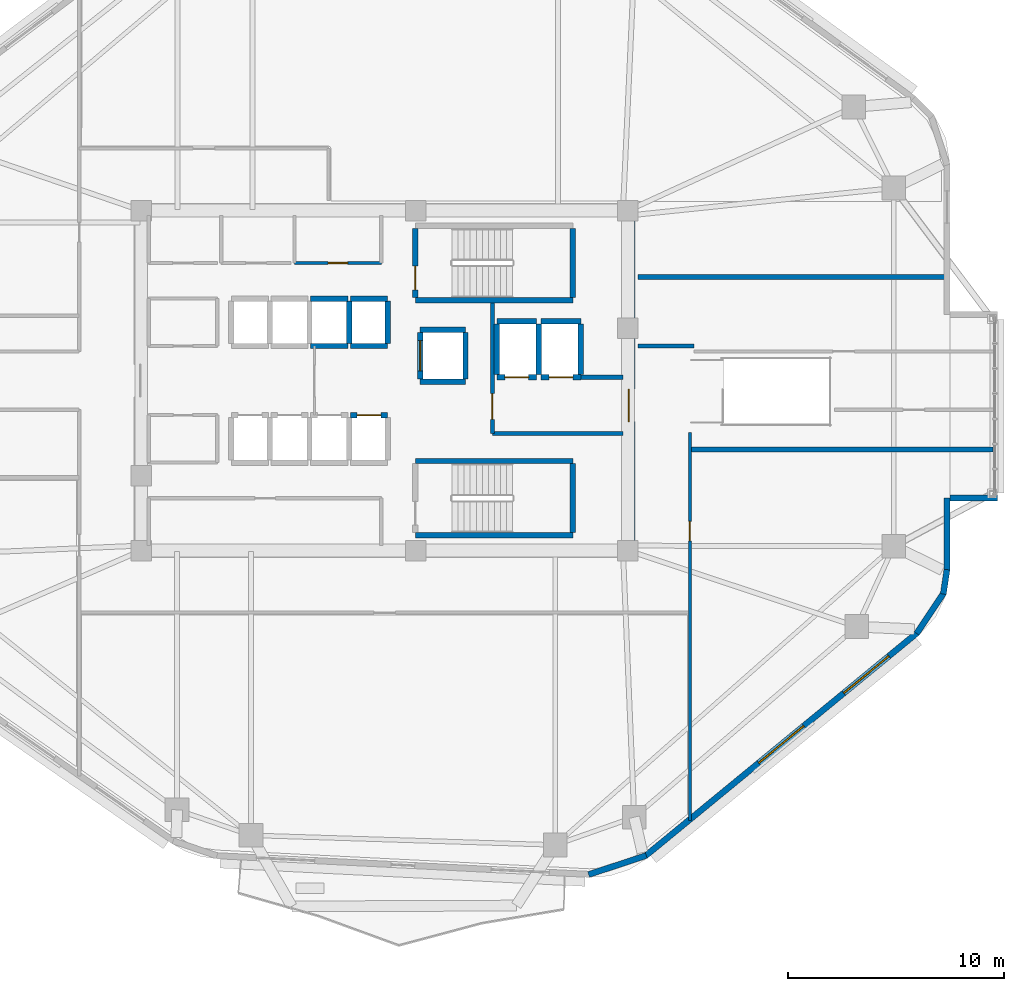
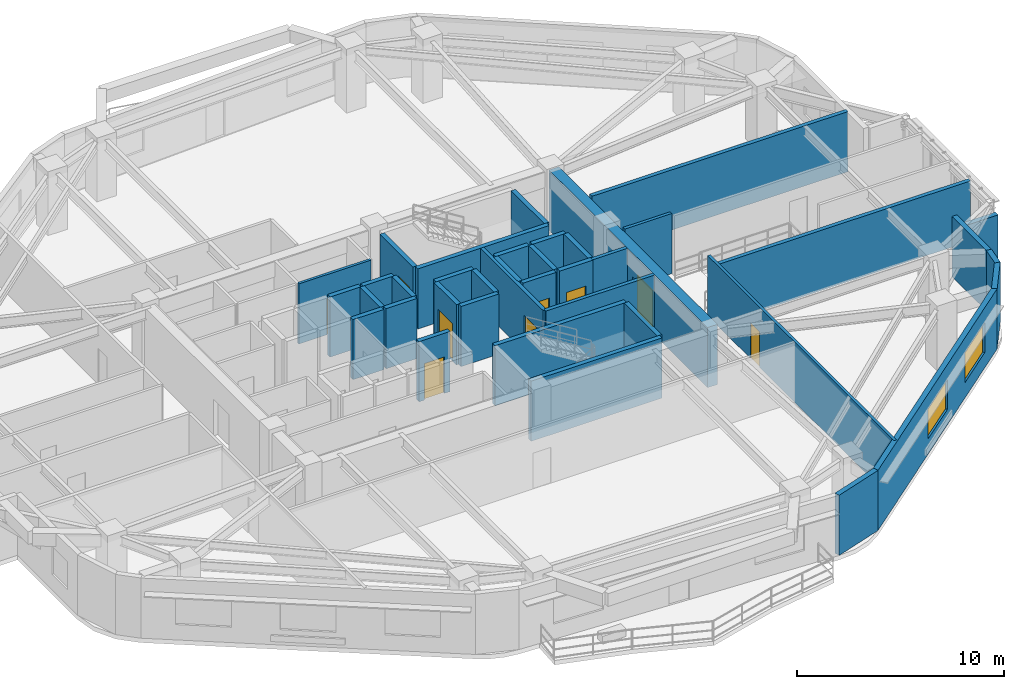
# One storey, part 9 of 14: 39 walls, 9 doors, 2 windows, 11 openings.
"""IFC4 building model written with IfcOpenShell, lengths in metres."""

from ifc_helpers import new_model, si_unit, direction, frame, frame_2d, origin, place, context, subcontext, project, spatial, rectangle, extrude, material, layer, layer_set, type_object, element, fill, save


model = new_model("IFC4")

# Units and contexts
model_context = context("Model", 3, precision=1e-05, world=origin(), true_north=direction((0.0, 1.0)))
body_context = subcontext(model_context, "Body", "Model", "MODEL_VIEW")
ifc_project = project(units=[si_unit("LENGTHUNIT", "METRE"), si_unit("AREAUNIT", "SQUARE_METRE"), si_unit("VOLUMEUNIT", "CUBIC_METRE"), si_unit("PLANEANGLEUNIT", "RADIAN"), si_unit("MASSUNIT", "GRAM", prefix="KILO")], contexts=[model_context])

# Site, building, storey
site_placement = place(None, origin())
site = spatial("IfcSite", under=ifc_project, at=site_placement, CompositionType="ELEMENT")
building_placement = place(site_placement, origin())
building = spatial("IfcBuilding", under=site, at=building_placement, Name="Zulverin Broadcast Headquarters", CompositionType="ELEMENT")
storey_placement = place(building_placement, frame((0.0, 0.0, 128.800048828125)))
storey = spatial("IfcBuildingStorey", under=building, at=storey_placement, Name="L32", CompositionType="ELEMENT", Elevation=128.800048828125)

# Walls
ifc_material_1 = material(Name="Double-stud acoustic drywall", Category="gypsum")
ifc_layer_1 = layer(ifc_material_1, 0.219970703125, Name="Double-stud acoustic drywall", Category="gypsum")
ifc_layer_set_1 = layer_set([ifc_layer_1], Name="Double-stud acoustic drywall")
wall_type_1 = type_object("IfcWallType", Name="WL-ACOU-220", PredefinedType="PARTITIONING", material=ifc_layer_set_1)
wall_1_placement = place(storey_placement, frame((51.14990234375, 22.0, 0.0), z_axis=(0.0, 0.0, 1.0), x_axis=(1.0, 0.0, 0.0)))
element("IfcWall", 1, at=wall_1_placement, inside=storey, type_object=wall_type_1, Name="L32 Room Partition Wall RP-07", PredefinedType="PARTITIONING", context=body_context, shape_type="SweptSolid", body=[
    extrude(rectangle(XDim=14.045166015625, YDim=0.219970703125, at=frame_2d((7.0224609375, 0.0))), origin(), (0.0, 0.0, 1.0), 3.5400390625),
])
wall_2_placement = place(storey_placement, frame((48.739990234375, 30.0, 0.0), z_axis=(0.0, 0.0, 1.0), x_axis=(1.0, 0.0, 0.0)))
element("IfcWall", 2, at=wall_2_placement, inside=storey, type_object=wall_type_1, Name="L32 Room Partition Wall RP-14", PredefinedType="PARTITIONING", context=body_context, shape_type="SweptSolid", body=[
    extrude(rectangle(XDim=14.255126953125, YDim=0.219970703125, at=frame_2d((7.12744140625, 0.0))), origin(), (0.0, 0.0, 1.0), 3.5400390625),
])

# Wall, opening, door
ifc_material_2 = material(Name="Concrete C60/75", Category="concrete")
ifc_layer_2 = layer(ifc_material_2, 0.550048828125, Name="Concrete C60/75", Category="concrete")
ifc_layer_set_2 = layer_set([ifc_layer_2], Name="Concrete C60/75")
wall_type_2 = type_object("IfcWallType", Name="WL-CORE-550", PredefinedType="SHEAR", material=ifc_layer_set_2)
wall_3_placement = place(storey_placement, frame((48.324951171875, 17.550048828125, 0.0), z_axis=(0.0, 0.0, 1.0), x_axis=(0.0, 1.0, 0.0)))
wall_3 = element("IfcWall", 3, at=wall_3_placement, inside=storey, type_object=wall_type_2, Name="L32 Core East Shear Wall", PredefinedType="SHEAR", context=body_context, shape_type="SweptSolid", body=[
    extrude(rectangle(XDim=15.300048828125, YDim=0.550048828125, at=frame_2d((7.64990234375, 0.0))), origin(), (0.0, 0.0, 1.0), 3.5400390625),
])
opening_1_placement = place(wall_3_placement, frame((5.75, 0.0, 0.0)))
opening_1 = element("IfcOpeningElement", 4, at=opening_1_placement, cuts=wall_3, Name="Opening D-L32-CE1", PredefinedType="OPENING", context=body_context, shape_type="SweptSolid", body=[
    extrude(rectangle(XDim=1.5, YDim=2.14990234375, at=frame_2d((0.75, 1.074951171875))), frame((0.0, 0.284912109375, 0.0), z_axis=(0.0, -1.0, 0.0), x_axis=(1.0, 0.0, 0.0)), (0.0, 0.0, 1.0), 0.570068359375),
])
ifc_material_3 = material(Name="Fire-rated glazed steel frame", Category="steel")
door_type_1 = type_object("IfcDoorType", Name="DR-COR-1500", OperationType="DOUBLE_DOOR_SINGLE_SWING", PredefinedType="DOOR", material=ifc_material_3)
door_1_placement = place(opening_1_placement, origin())
door_1 = element("IfcDoor", 5, at=door_1_placement, inside=storey, type_object=door_type_1, Name="L32 Firefighting Lobby East Corridor Door", OperationType="DOUBLE_DOOR_SINGLE_SWING", OverallHeight=2.14990234375, OverallWidth=1.5, PredefinedType="DOOR", context=body_context, shape_type="SweptSolid", body=[
    extrude(rectangle(XDim=1.5, YDim=2.14990234375, at=frame_2d((0.75, 1.074951171875))), frame((0.0, 0.02490234375, 0.0), z_axis=(0.0, -1.0, 0.0), x_axis=(1.0, 0.0, 0.0)), (0.0, 0.0, 1.0), 0.050048828125),
])
fill(opening_1, door_1)

# Wall, openings, windows
ifc_material_4 = material(Name="Insulated pale-metal clad concrete spandrel C40/50", Category="concrete")
ifc_layer_3 = layer(ifc_material_4, 0.280029296875, Name="Insulated pale-metal clad concrete spandrel C40/50", Category="concrete")
ifc_layer_set_3 = layer_set([ifc_layer_3], Name="Insulated pale-metal clad concrete spandrel C40/50")
wall_type_3 = type_object("IfcWallType", Name="WL-EXT-280", PredefinedType="STANDARD", material=ifc_layer_set_3)
wall_4_placement = place(storey_placement, frame((49.080078125, 3.164306640625, 0.0), z_axis=(0.0, 0.0, 1.0), x_axis=(0.772937830186, 0.634481765433, 0.0)))
wall_4 = element("IfcWall", 6, at=wall_4_placement, inside=storey, type_object=wall_type_3, Name="L32 Pale-Metal Clad Spandrel Wall 2", PredefinedType="STANDARD", context=body_context, shape_type="SweptSolid", body=[
    extrude(rectangle(XDim=16.308837890625, YDim=0.280029296875, at=frame_2d((8.154296875, 0.0))), origin(), (0.0, 0.0, 1.0), 3.5400390625),
])
opening_2_placement = place(wall_4_placement, frame((6.804443359375, 0.0, 0.89990234375)))
opening_2 = element("IfcOpeningElement", 7, at=opening_2_placement, cuts=wall_4, Name="Opening W-L32-E21", PredefinedType="OPENING", context=body_context, shape_type="SweptSolid", body=[
    extrude(rectangle(XDim=2.699951171875, YDim=1.75, at=frame_2d((1.35009765625, 0.875))), frame((0.0, 0.14990234375, 0.0), z_axis=(0.0, -1.0, 0.0), x_axis=(1.0, 0.0, 0.0)), (0.0, 0.0, 1.0), 0.300048828125),
])
opening_3_placement = place(wall_4_placement, frame((11.9072265625, 0.0, 0.89990234375)))
opening_3 = element("IfcOpeningElement", 8, at=opening_3_placement, cuts=wall_4, Name="Opening W-L32-E22", PredefinedType="OPENING", context=body_context, shape_type="SweptSolid", body=[
    extrude(rectangle(XDim=2.699951171875, YDim=1.75, at=frame_2d((1.35009765625, 0.875))), frame((0.0, 0.14990234375, 0.0), z_axis=(0.0, -1.0, 0.0), x_axis=(1.0, 0.0, 0.0)), (0.0, 0.0, 1.0), 0.300048828125),
])
ifc_material_5 = material(Name="Pale anodized aluminium frame with solar-control low-E double glazing", Category="aluminium")
window_type = type_object("IfcWindowType", Name="WIN-TWR-2700", PartitioningType="SINGLE_PANEL", PredefinedType="WINDOW", material=ifc_material_5)
window_1_placement = place(opening_2_placement, origin())
window_1 = element("IfcWindow", 9, at=window_1_placement, inside=storey, type_object=window_type, Name="L32 Ribbon Glazing Window 2 1", OverallHeight=1.75, OverallWidth=2.699951171875, PartitioningType="SINGLE_PANEL", PredefinedType="WINDOW", context=body_context, shape_type="SweptSolid", body=[
    extrude(rectangle(XDim=2.699951171875, YDim=1.75, at=frame_2d((1.35009765625, 0.875))), frame((0.0, 0.030029296875, 0.0), z_axis=(0.0, -1.0, 0.0), x_axis=(1.0, 0.0, 0.0)), (0.0, 0.0, 1.0), 0.06005859375),
])
fill(opening_2, window_1)
window_2_placement = place(opening_3_placement, origin())
window_2 = element("IfcWindow", 10, at=window_2_placement, inside=storey, type_object=window_type, Name="L32 Ribbon Glazing Window 2 2", OverallHeight=1.75, OverallWidth=2.699951171875, PartitioningType="SINGLE_PANEL", PredefinedType="WINDOW", context=body_context, shape_type="SweptSolid", body=[
    extrude(rectangle(XDim=2.699951171875, YDim=1.75, at=frame_2d((1.35009765625, 0.875))), frame((0.0, 0.030029296875, 0.0), z_axis=(0.0, -1.0, 0.0), x_axis=(1.0, 0.0, 0.0)), (0.0, 0.0, 1.0), 0.06005859375),
])
fill(opening_3, window_2)

# Walls
wall_5_placement = place(storey_placement, frame((63.06005859375, 16.418212890625, 0.0), z_axis=(0.0, 0.0, 1.0), x_axis=(0.0, 1.0, 0.0)))
element("IfcWall", 11, at=wall_5_placement, inside=storey, type_object=wall_type_3, Name="L32 Pale-Metal Clad Flanking Spandrel Wall 3-1", PredefinedType="STANDARD", context=body_context, shape_type="SweptSolid", body=[
    extrude(rectangle(XDim=3.331787109375, YDim=0.280029296875, at=frame_2d((1.666015625, 0.0))), origin(), (0.0, 0.0, 1.0), 3.5400390625),
])
wall_6_placement = place(storey_placement, frame((46.455078125, 2.30859375, 0.0), z_axis=(0.0, 0.0, 1.0), x_axis=(0.949677222099, 0.313230224955, 0.0)))
element("IfcWall", 12, at=wall_6_placement, inside=storey, type_object=wall_type_3, Name="L32 Wind-Shaped Corner Spandrel Wall 1-1", PredefinedType="STANDARD", context=body_context, shape_type="SweptSolid", body=[
    extrude(rectangle(XDim=2.811279296875, YDim=0.280029296875, at=frame_2d((1.40576171875, 0.0))), origin(), (0.0, 0.0, 1.0), 3.5400390625),
])
wall_7_placement = place(storey_placement, frame((61.658203125, 13.481689453125, 0.0), z_axis=(0.0, 0.0, 1.0), x_axis=(0.555521224344, 0.831502356764, 0.0)))
element("IfcWall", 13, at=wall_7_placement, inside=storey, type_object=wall_type_3, Name="L32 Wind-Shaped Corner Spandrel Wall 2-1", PredefinedType="STANDARD", context=body_context, shape_type="SweptSolid", body=[
    extrude(rectangle(XDim=2.263671875, YDim=0.280029296875, at=frame_2d((1.1318359375, 0.0))), origin(), (0.0, 0.0, 1.0), 3.5400390625),
])
wall_8_placement = place(storey_placement, frame((62.8935546875, 15.306884765625, 0.0), z_axis=(0.0, 0.0, 1.0), x_axis=(0.146796104284, 0.989166772474, 0.0)))
element("IfcWall", 14, at=wall_8_placement, inside=storey, type_object=wall_type_3, Name="L32 Wind-Shaped Corner Spandrel Wall 2-2", PredefinedType="STANDARD", context=body_context, shape_type="SweptSolid", body=[
    extrude(rectangle(XDim=1.144287109375, YDim=0.280029296875, at=frame_2d((0.572265625, 0.0))), origin(), (0.0, 0.0, 1.0), 3.5400390625),
])
wall_9_placement = place(storey_placement, frame((63.199951171875, 19.75, 0.0), z_axis=(0.0, 0.0, 1.0), x_axis=(1.0, 0.0, 0.0)))
element("IfcWall", 15, at=wall_9_placement, inside=storey, type_object=wall_type_3, Name="L32 Shifted Studio Box Cheek Wall SBOX_SKY1_E-S", PredefinedType="STANDARD", context=body_context, shape_type="SweptSolid", body=[
    extrude(rectangle(XDim=2.199951171875, YDim=0.280029296875, at=frame_2d((1.10009765625, 0.0))), origin(), (0.0, 0.0, 1.0), 2.84716796875),
])

# Wall, opening, door
ifc_material_6 = material(Name="Concrete C40/50", Category="concrete")
ifc_layer_4 = layer(ifc_material_6, 0.199951171875, Name="Concrete C40/50", Category="concrete")
ifc_layer_set_4 = layer_set([ifc_layer_4], Name="Concrete C40/50")
wall_type_4 = type_object("IfcWallType", Name="WL-FFL-200", PredefinedType="SOLIDWALL", material=ifc_layer_set_4)
wall_10_placement = place(storey_placement, frame((42.0, 22.75, 0.0), z_axis=(0.0, 0.0, 1.0), x_axis=(0.0, 1.0, 0.0)))
wall_10 = element("IfcWall", 16, at=wall_10_placement, inside=storey, type_object=wall_type_4, Name="L32 Firefighting Lift Lobby West Wall", PredefinedType="SOLIDWALL", context=body_context, shape_type="SweptSolid", body=[
    extrude(rectangle(XDim=6.050048828125, YDim=0.199951171875, at=frame_2d((3.02490234375, 0.0))), origin(), (0.0, 0.0, 1.0), 3.5400390625),
])
opening_4_placement = place(wall_10_placement, frame((0.64990234375, 0.0, 0.0)))
opening_4 = element("IfcOpeningElement", 17, at=opening_4_placement, cuts=wall_10, Name="Opening D-L32-FFLW", PredefinedType="OPENING", context=body_context, shape_type="SweptSolid", body=[
    extrude(rectangle(XDim=1.199951171875, YDim=2.14990234375, at=frame_2d((0.60009765625, 1.074951171875))), frame((0.0, 0.10986328125, 0.0), z_axis=(0.0, -1.0, 0.0), x_axis=(1.0, 0.0, 0.0)), (0.0, 0.0, 1.0), 0.219970703125),
])
ifc_material_7 = material(Name="Fire-rated steel leaf and frame", Category="steel")
door_type_2 = type_object("IfcDoorType", Name="DR-FFL-1200", OperationType="SINGLE_SWING_RIGHT", PredefinedType="DOOR", material=ifc_material_7)
door_2_placement = place(opening_4_placement, origin())
door_2 = element("IfcDoor", 18, at=door_2_placement, inside=storey, type_object=door_type_2, Name="L32 Firefighting Lift Lobby Door", OperationType="SINGLE_SWING_RIGHT", OverallHeight=2.14990234375, OverallWidth=1.199951171875, PredefinedType="DOOR", context=body_context, shape_type="SweptSolid", body=[
    extrude(rectangle(XDim=1.199951171875, YDim=2.14990234375, at=frame_2d((0.60009765625, 1.074951171875))), frame((0.0, 0.02490234375, 0.0), z_axis=(0.0, -1.0, 0.0), x_axis=(1.0, 0.0, 0.0)), (0.0, 0.0, 1.0), 0.050048828125),
])
fill(opening_4, door_2)

# Walls
wall_11_placement = place(storey_placement, frame((42.0, 22.75, 0.0), z_axis=(0.0, 0.0, 1.0), x_axis=(1.0, 0.0, 0.0)))
element("IfcWall", 19, at=wall_11_placement, inside=storey, type_object=wall_type_4, Name="L32 Firefighting Lift Lobby South Wall", PredefinedType="SOLIDWALL", context=body_context, shape_type="SweptSolid", body=[
    extrude(rectangle(XDim=6.050048828125, YDim=0.199951171875, at=frame_2d((3.02490234375, 0.0))), origin(), (0.0, 0.0, 1.0), 3.5400390625),
])
wall_12_placement = place(storey_placement, frame((46.10009765625, 25.35009765625, 0.0), z_axis=(0.0, 0.0, 1.0), x_axis=(1.0, 0.0, 0.0)))
element("IfcWall", 20, at=wall_12_placement, inside=storey, type_object=wall_type_4, Name="L32 Firefighting Lift Lobby North Wall", PredefinedType="SOLIDWALL", context=body_context, shape_type="SweptSolid", body=[
    extrude(rectangle(XDim=1.949951171875, YDim=0.199951171875, at=frame_2d((0.97509765625, 0.0))), origin(), (0.0, 0.0, 1.0), 3.5400390625),
])

# Wall, opening, door
ifc_material_8 = material(Name="Fire-rated gypsum stud partition", Category="gypsum")
ifc_layer_5 = layer(ifc_material_8, 0.14990234375, Name="Fire-rated gypsum stud partition", Category="gypsum")
ifc_layer_set_5 = layer_set([ifc_layer_5], Name="Fire-rated gypsum stud partition")
wall_type_5 = type_object("IfcWallType", Name="WL-PART-150", PredefinedType="PARTITIONING", material=ifc_layer_set_5)
wall_13_placement = place(storey_placement, frame((32.830078125, 30.64990234375, 0.0), z_axis=(0.0, 0.0, 1.0), x_axis=(1.0, 0.0, 0.0)))
wall_13 = element("IfcWall", 21, at=wall_13_placement, inside=storey, type_object=wall_type_5, Name="L32 Core Electrical Switch Riser Front Wall", PredefinedType="PARTITIONING", context=body_context, shape_type="SweptSolid", body=[
    extrude(rectangle(XDim=4.02001953125, YDim=0.14990234375, at=frame_2d((2.010009765625, 0.0))), origin(), (0.0, 0.0, 1.0), 3.5400390625),
])
opening_5_placement = place(wall_13_placement, frame((1.56005859375, 0.0, 0.0)))
opening_5 = element("IfcOpeningElement", 22, at=opening_5_placement, cuts=wall_13, Name="Opening D-L32-NC3", PredefinedType="OPENING", context=body_context, shape_type="SweptSolid", body=[
    extrude(rectangle(XDim=0.89990234375, YDim=2.10009765625, at=frame_2d((0.449951171875, 1.050048828125))), frame((0.0, 0.0849609375, 0.0), z_axis=(0.0, -1.0, 0.0), x_axis=(1.0, 0.0, 0.0)), (0.0, 0.0, 1.0), 0.169921875),
])
ifc_material_9 = material(Name="Powder-coated steel access leaf", Category="steel")
door_type_3 = type_object("IfcDoorType", Name="DR-RISER-900", OperationType="SINGLE_SWING_LEFT", PredefinedType="DOOR", material=ifc_material_9)
door_3_placement = place(opening_5_placement, origin())
door_3 = element("IfcDoor", 23, at=door_3_placement, inside=storey, type_object=door_type_3, Name="L32 Electrical Switch Riser Door", OperationType="SINGLE_SWING_LEFT", OverallHeight=2.10009765625, OverallWidth=0.89990234375, PredefinedType="DOOR", context=body_context, shape_type="SweptSolid", body=[
    extrude(rectangle(XDim=0.89990234375, YDim=2.10009765625, at=frame_2d((0.449951171875, 1.050048828125))), frame((0.0, 0.02490234375, 0.0), z_axis=(0.0, -1.0, 0.0), x_axis=(1.0, 0.0, 0.0)), (0.0, 0.0, 1.0), 0.050048828125),
])
fill(opening_5, door_3)

wall_14_placement = place(storey_placement, frame((51.14990234375, 4.822509765625, 0.0), z_axis=(0.0, 0.0, 1.0), x_axis=(0.0, 1.0, 0.0)))
wall_14 = element("IfcWall", 24, at=wall_14_placement, inside=storey, type_object=wall_type_5, Name="L32 Gallery Partition Wall CG-01", PredefinedType="PARTITIONING", context=body_context, shape_type="SweptSolid", body=[
    extrude(rectangle(XDim=17.9775390625, YDim=0.14990234375, at=frame_2d((8.98876953125, 0.0))), origin(), (0.0, 0.0, 1.0), 3.5400390625),
])
opening_6_placement = place(wall_14_placement, frame((12.952392578125, 0.0, 0.0)))
opening_6 = element("IfcOpeningElement", 25, at=opening_6_placement, cuts=wall_14, Name="Opening D-L32-07", PredefinedType="OPENING", context=body_context, shape_type="SweptSolid", body=[
    extrude(rectangle(XDim=0.89990234375, YDim=2.10009765625, at=frame_2d((0.449951171875, 1.050048828125))), frame((0.0, 0.0849609375, 0.0), z_axis=(0.0, -1.0, 0.0), x_axis=(1.0, 0.0, 0.0)), (0.0, 0.0, 1.0), 0.169921875),
])
ifc_material_10 = material(Name="Fire-rated hardwood veneer timber leaf", Category="wood")
door_type_4 = type_object("IfcDoorType", Name="DR-ROOM-900", OperationType="SINGLE_SWING_RIGHT", PredefinedType="DOOR", material=ifc_material_10)
door_4_placement = place(opening_6_placement, origin())
door_4 = element("IfcDoor", 26, at=door_4_placement, inside=storey, type_object=door_type_4, Name="L32 Visitor Reception Door", OperationType="SINGLE_SWING_RIGHT", OverallHeight=2.10009765625, OverallWidth=0.89990234375, PredefinedType="DOOR", context=body_context, shape_type="SweptSolid", body=[
    extrude(rectangle(XDim=0.89990234375, YDim=2.10009765625, at=frame_2d((0.449951171875, 1.050048828125))), frame((0.0, 0.02490234375, 0.0), z_axis=(0.0, -1.0, 0.0), x_axis=(1.0, 0.0, 0.0)), (0.0, 0.0, 1.0), 0.050048828125),
])
fill(opening_6, door_4)

# Walls
ifc_material_11 = material(Name="Fire-rated acoustic stud wall", Category="gypsum")
ifc_layer_6 = layer(ifc_material_11, 0.175048828125, Name="Fire-rated acoustic stud wall", Category="gypsum")
ifc_layer_set_6 = layer_set([ifc_layer_6], Name="Fire-rated acoustic stud wall")
wall_type_6 = type_object("IfcWallType", Name="WL-PART-175", PredefinedType="PARTITIONING", material=ifc_layer_set_6)
wall_15_placement = place(storey_placement, frame((48.739990234375, 26.800048828125, 0.0), z_axis=(0.0, 0.0, 1.0), x_axis=(1.0, 0.0, 0.0)))
element("IfcWall", 27, at=wall_15_placement, inside=storey, type_object=wall_type_6, Name="L32 Gallery Partition Wall CG-12", PredefinedType="PARTITIONING", context=body_context, shape_type="SweptSolid", body=[
    extrude(rectangle(XDim=2.610107421875, YDim=0.175048828125, at=frame_2d((1.30517578125, 0.0))), origin(), (0.0, 0.0, 1.0), 3.5400390625),
])
ifc_material_12 = material(Name="Concrete C50/60", Category="concrete")
ifc_layer_7 = layer(ifc_material_12, 0.25, Name="Concrete C50/60", Category="concrete")
ifc_layer_set_7 = layer_set([ifc_layer_7], Name="Concrete C50/60")
wall_type_7 = type_object("IfcWallType", Name="WL-SHAFT-250", PredefinedType="SHEAR", material=ifc_layer_set_7)
wall_16_placement = place(storey_placement, frame((38.425048828125, 28.925048828125, 0.0), z_axis=(0.0, 0.0, 1.0), x_axis=(1.0, 0.0, 0.0)))
element("IfcWall", 28, at=wall_16_placement, inside=storey, type_object=wall_type_7, Name="L32 ST-1 Enclosure Wall S", PredefinedType="SHEAR", context=body_context, shape_type="SweptSolid", body=[
    extrude(rectangle(XDim=7.300048828125, YDim=0.25, at=frame_2d((3.64990234375, 0.0))), origin(), (0.0, 0.0, 1.0), 3.5400390625),
])

# Wall, opening, door
wall_17_placement = place(storey_placement, frame((38.425048828125, 29.050048828125, 0.0), z_axis=(0.0, 0.0, 1.0), x_axis=(0.0, 1.0, 0.0)))
wall_17 = element("IfcWall", 29, at=wall_17_placement, inside=storey, type_object=wall_type_7, Name="L32 ST-1 Enclosure Wall W", PredefinedType="SHEAR", context=body_context, shape_type="SweptSolid", body=[
    extrude(rectangle(XDim=3.199951171875, YDim=0.25, at=frame_2d((1.60009765625, 0.0))), origin(), (0.0, 0.0, 1.0), 3.5400390625),
])
opening_7_placement = place(wall_17_placement, frame((0.35009765625, 0.0, 0.0)))
opening_7 = element("IfcOpeningElement", 30, at=opening_7_placement, cuts=wall_17, Name="Opening D-L32-ST-1", PredefinedType="OPENING", context=body_context, shape_type="SweptSolid", body=[
    extrude(rectangle(XDim=1.10009765625, YDim=2.14990234375, at=frame_2d((0.550048828125, 1.074951171875))), frame((0.0, 0.135009765625, 0.0), z_axis=(0.0, -1.0, 0.0), x_axis=(1.0, 0.0, 0.0)), (0.0, 0.0, 1.0), 0.27001953125),
])
door_type_5 = type_object("IfcDoorType", Name="DR-STAIR-1100", OperationType="SINGLE_SWING_LEFT", PredefinedType="DOOR", material=ifc_material_7)
door_5_placement = place(opening_7_placement, origin())
door_5 = element("IfcDoor", 31, at=door_5_placement, inside=storey, type_object=door_type_5, Name="L32 Exit Stair ST-1 Fire Door", OperationType="SINGLE_SWING_LEFT", OverallHeight=2.14990234375, OverallWidth=1.10009765625, PredefinedType="DOOR", context=body_context, shape_type="SweptSolid", body=[
    extrude(rectangle(XDim=1.10009765625, YDim=2.14990234375, at=frame_2d((0.550048828125, 1.074951171875))), frame((0.0, 0.02490234375, 0.0), z_axis=(0.0, -1.0, 0.0), x_axis=(1.0, 0.0, 0.0)), (0.0, 0.0, 1.0), 0.050048828125),
])
fill(opening_7, door_5)

# Walls
wall_18_placement = place(storey_placement, frame((45.72509765625, 29.050048828125, 0.0), z_axis=(0.0, 0.0, 1.0), x_axis=(0.0, 1.0, 0.0)))
element("IfcWall", 32, at=wall_18_placement, inside=storey, type_object=wall_type_7, Name="L32 ST-1 Enclosure Wall E", PredefinedType="SHEAR", context=body_context, shape_type="SweptSolid", body=[
    extrude(rectangle(XDim=3.199951171875, YDim=0.25, at=frame_2d((1.60009765625, 0.0))), origin(), (0.0, 0.0, 1.0), 3.5400390625),
])
for number, where, z_axis, x_axis, name in (
    (33, (38.425048828125, 18.02490234375, 0.0), (0.0, 0.0, 1.0), (1.0, 0.0, 0.0), "L32 ST-2 Enclosure Wall S"),
    (34, (38.425048828125, 21.47509765625, 0.0), (0.0, 0.0, 1.0), (1.0, 0.0, 0.0), "L32 ST-2 Enclosure Wall N"),
):
    element("IfcWall", number, at=place(storey_placement, frame(where, z_axis=z_axis, x_axis=x_axis)), inside=storey, type_object=wall_type_7, Name=name, PredefinedType="SHEAR", context=body_context, shape_type="SweptSolid", body=[
        extrude(rectangle(XDim=7.300048828125, YDim=0.25, at=frame_2d((3.64990234375, 0.0))), origin(), (0.0, 0.0, 1.0), 3.5400390625),
    ])
wall_19_placement = place(storey_placement, frame((45.72509765625, 18.14990234375, 0.0), z_axis=(0.0, 0.0, 1.0), x_axis=(0.0, 1.0, 0.0)))
element("IfcWall", 35, at=wall_19_placement, inside=storey, type_object=wall_type_7, Name="L32 ST-2 Enclosure Wall E", PredefinedType="SHEAR", context=body_context, shape_type="SweptSolid", body=[
    extrude(rectangle(XDim=3.2001953125, YDim=0.25, at=frame_2d((1.60009765625, 0.0))), origin(), (0.0, 0.0, 1.0), 3.5400390625),
])

# Wall, opening, door
wall_20_placement = place(storey_placement, frame((35.419921875, 23.60009765625, 0.0), z_axis=(0.0, 0.0, 1.0), x_axis=(1.0, 0.0, 0.0)))
wall_20 = element("IfcWall", 36, at=wall_20_placement, inside=storey, type_object=wall_type_7, Name="L32 Lift PL-M4 Shaft Wall N", PredefinedType="SHEAR", context=body_context, shape_type="SweptSolid", body=[
    extrude(rectangle(XDim=1.719970703125, YDim=0.25, at=frame_2d((0.85986328125, 0.0))), origin(), (0.0, 0.0, 1.0), 3.5400390625),
])
opening_8_placement = place(wall_20_placement, frame((0.31005859375, 0.0, 0.0)))
opening_8 = element("IfcOpeningElement", 37, at=opening_8_placement, cuts=wall_20, Name="Opening LD-PL-M4-L32", PredefinedType="OPENING", context=body_context, shape_type="SweptSolid", body=[
    extrude(rectangle(XDim=1.10009765625, YDim=2.14990234375, at=frame_2d((0.550048828125, 1.074951171875))), frame((0.0, 0.135009765625, 0.0), z_axis=(0.0, -1.0, 0.0), x_axis=(1.0, 0.0, 0.0)), (0.0, 0.0, 1.0), 0.27001953125),
])
ifc_material_13 = material(Name="Brushed stainless steel landing", Category="steel")
door_type_6 = type_object("IfcDoorType", Name="LD-PASS-1100", OperationType="DOUBLE_DOOR_SLIDING", PredefinedType="DOOR", material=ifc_material_13)
door_6_placement = place(opening_8_placement, origin())
door_6 = element("IfcDoor", 38, at=door_6_placement, inside=storey, type_object=door_type_6, Name="L32 Lift PL-M4 Sliding Landing Door", OperationType="DOUBLE_DOOR_SLIDING", OverallHeight=2.14990234375, OverallWidth=1.10009765625, PredefinedType="DOOR", context=body_context, shape_type="SweptSolid", body=[
    extrude(rectangle(XDim=1.10009765625, YDim=2.14990234375, at=frame_2d((0.550048828125, 1.074951171875))), frame((0.0, 0.02490234375, 0.0), z_axis=(0.0, -1.0, 0.0), x_axis=(1.0, 0.0, 0.0)), (0.0, 0.0, 1.0), 0.050048828125),
])
fill(opening_8, door_6)

# Walls
for number, where, z_axis, x_axis, name in (
    (39, (33.580078125, 26.800048828125, 0.0), (0.0, 0.0, 1.0), (1.0, 0.0, 0.0), "L32 Lift PL-H3 Shaft Wall S"),
    (40, (33.580078125, 29.0, 0.0), (0.0, 0.0, 1.0), (1.0, 0.0, 0.0), "L32 Lift PL-H3 Shaft Wall N"),
):
    element("IfcWall", number, at=place(storey_placement, frame(where, z_axis=z_axis, x_axis=x_axis)), inside=storey, type_object=wall_type_7, Name=name, PredefinedType="SHEAR", context=body_context, shape_type="SweptSolid", body=[
        extrude(rectangle(XDim=1.719970703125, YDim=0.25, at=frame_2d((0.85986328125, 0.0))), origin(), (0.0, 0.0, 1.0), 3.5400390625),
    ])
wall_21_placement = place(storey_placement, frame((35.360107421875, 26.919921875, 0.0), z_axis=(0.0, 0.0, 1.0), x_axis=(0.0, 1.0, 0.0)))
element("IfcWall", 41, at=wall_21_placement, inside=storey, type_object=wall_type_7, Name="L32 Lift PL-H3 Shaft Wall E", PredefinedType="SHEAR", context=body_context, shape_type="SweptSolid", body=[
    extrude(rectangle(XDim=1.9599609375, YDim=0.25, at=frame_2d((0.97998046875, 0.0))), origin(), (0.0, 0.0, 1.0), 3.5400390625),
])
for number, where, z_axis, x_axis, name in (
    (42, (35.419921875, 26.800048828125, 0.0), (0.0, 0.0, 1.0), (1.0, 0.0, 0.0), "L32 Lift PL-H4 Shaft Wall S"),
    (43, (35.419921875, 29.0, 0.0), (0.0, 0.0, 1.0), (1.0, 0.0, 0.0), "L32 Lift PL-H4 Shaft Wall N"),
):
    element("IfcWall", number, at=place(storey_placement, frame(where, z_axis=z_axis, x_axis=x_axis)), inside=storey, type_object=wall_type_7, Name=name, PredefinedType="SHEAR", context=body_context, shape_type="SweptSolid", body=[
        extrude(rectangle(XDim=1.719970703125, YDim=0.25, at=frame_2d((0.85986328125, 0.0))), origin(), (0.0, 0.0, 1.0), 3.5400390625),
    ])
wall_22_placement = place(storey_placement, frame((37.139892578125, 26.919921875, 0.0), z_axis=(0.0, 0.0, 1.0), x_axis=(0.0, 1.0, 0.0)))
element("IfcWall", 44, at=wall_22_placement, inside=storey, type_object=wall_type_7, Name="L32 Lift PL-H4 Shaft Wall E", PredefinedType="SHEAR", context=body_context, shape_type="SweptSolid", body=[
    extrude(rectangle(XDim=1.9599609375, YDim=0.25, at=frame_2d((0.97998046875, 0.0))), origin(), (0.0, 0.0, 1.0), 3.5400390625),
])

# Wall, opening, door
wall_23_placement = place(storey_placement, frame((42.199951171875, 25.35009765625, 0.0), z_axis=(0.0, 0.0, 1.0), x_axis=(1.0, 0.0, 0.0)))
wall_23 = element("IfcWall", 45, at=wall_23_placement, inside=storey, type_object=wall_type_7, Name="L32 Lift FFL-1 Shaft Wall S", PredefinedType="SHEAR", context=body_context, shape_type="SweptSolid", body=[
    extrude(rectangle(XDim=1.85009765625, YDim=0.25, at=frame_2d((0.925048828125, 0.0))), origin(), (0.0, 0.0, 1.0), 3.5400390625),
])
opening_9_placement = place(wall_23_placement, frame((0.375, 0.0, 0.0)))
opening_9 = element("IfcOpeningElement", 46, at=opening_9_placement, cuts=wall_23, Name="Opening LD-FFL-1-L32", PredefinedType="OPENING", context=body_context, shape_type="SweptSolid", body=[
    extrude(rectangle(XDim=1.10009765625, YDim=2.14990234375, at=frame_2d((0.550048828125, 1.074951171875))), frame((0.0, 0.135009765625, 0.0), z_axis=(0.0, -1.0, 0.0), x_axis=(1.0, 0.0, 0.0)), (0.0, 0.0, 1.0), 0.27001953125),
])
ifc_material_14 = material(Name="Fire-rated stainless landing door", Category="steel")
door_type_7 = type_object("IfcDoorType", Name="LD-FFL-1100", OperationType="DOUBLE_DOOR_SLIDING", PredefinedType="DOOR", material=ifc_material_14)
door_7_placement = place(opening_9_placement, origin())
door_7 = element("IfcDoor", 47, at=door_7_placement, inside=storey, type_object=door_type_7, Name="L32 Lift FFL-1 Sliding Landing Door", OperationType="DOUBLE_DOOR_SLIDING", OverallHeight=2.14990234375, OverallWidth=1.10009765625, PredefinedType="DOOR", context=body_context, shape_type="SweptSolid", body=[
    extrude(rectangle(XDim=1.10009765625, YDim=2.14990234375, at=frame_2d((0.550048828125, 1.074951171875))), frame((0.0, 0.02490234375, 0.0), z_axis=(0.0, -1.0, 0.0), x_axis=(1.0, 0.0, 0.0)), (0.0, 0.0, 1.0), 0.050048828125),
])
fill(opening_9, door_7)

# Walls
wall_24_placement = place(storey_placement, frame((42.199951171875, 27.949951171875, 0.0), z_axis=(0.0, 0.0, 1.0), x_axis=(1.0, 0.0, 0.0)))
element("IfcWall", 48, at=wall_24_placement, inside=storey, type_object=wall_type_7, Name="L32 Lift FFL-1 Shaft Wall N", PredefinedType="SHEAR", context=body_context, shape_type="SweptSolid", body=[
    extrude(rectangle(XDim=1.85009765625, YDim=0.25, at=frame_2d((0.925048828125, 0.0))), origin(), (0.0, 0.0, 1.0), 3.5400390625),
])
for number, where, z_axis, x_axis, name in (
    (49, (42.199951171875, 25.469970703125, 0.0), (0.0, 0.0, 1.0), (0.0, 1.0, 0.0), "L32 Lift FFL-1 Shaft Wall W"),
    (50, (44.14990234375, 25.469970703125, 0.0), (0.0, 0.0, 1.0), (0.0, 1.0, 0.0), "L32 Lift FFL-1 Shaft Wall E"),
):
    element("IfcWall", number, at=place(storey_placement, frame(where, z_axis=z_axis, x_axis=x_axis)), inside=storey, type_object=wall_type_7, Name=name, PredefinedType="SHEAR", context=body_context, shape_type="SweptSolid", body=[
        extrude(rectangle(XDim=2.360107421875, YDim=0.25, at=frame_2d((1.18017578125, 0.0))), origin(), (0.0, 0.0, 1.0), 3.5400390625),
    ])

# Wall, opening, door
wall_25_placement = place(storey_placement, frame((44.25, 25.35009765625, 0.0), z_axis=(0.0, 0.0, 1.0), x_axis=(1.0, 0.0, 0.0)))
wall_25 = element("IfcWall", 51, at=wall_25_placement, inside=storey, type_object=wall_type_7, Name="L32 Lift FFL-2 Shaft Wall S", PredefinedType="SHEAR", context=body_context, shape_type="SweptSolid", body=[
    extrude(rectangle(XDim=1.85009765625, YDim=0.25, at=frame_2d((0.925048828125, 0.0))), origin(), (0.0, 0.0, 1.0), 3.5400390625),
])
opening_10_placement = place(wall_25_placement, frame((0.375, 0.0, 0.0)))
opening_10 = element("IfcOpeningElement", 52, at=opening_10_placement, cuts=wall_25, Name="Opening LD-FFL-2-L32", PredefinedType="OPENING", context=body_context, shape_type="SweptSolid", body=[
    extrude(rectangle(XDim=1.10009765625, YDim=2.14990234375, at=frame_2d((0.550048828125, 1.074951171875))), frame((0.0, 0.135009765625, 0.0), z_axis=(0.0, -1.0, 0.0), x_axis=(1.0, 0.0, 0.0)), (0.0, 0.0, 1.0), 0.27001953125),
])
door_8_placement = place(opening_10_placement, origin())
door_8 = element("IfcDoor", 53, at=door_8_placement, inside=storey, type_object=door_type_7, Name="L32 Lift FFL-2 Sliding Landing Door", OperationType="DOUBLE_DOOR_SLIDING", OverallHeight=2.14990234375, OverallWidth=1.10009765625, PredefinedType="DOOR", context=body_context, shape_type="SweptSolid", body=[
    extrude(rectangle(XDim=1.10009765625, YDim=2.14990234375, at=frame_2d((0.550048828125, 1.074951171875))), frame((0.0, 0.02490234375, 0.0), z_axis=(0.0, -1.0, 0.0), x_axis=(1.0, 0.0, 0.0)), (0.0, 0.0, 1.0), 0.050048828125),
])
fill(opening_10, door_8)

# Walls
wall_26_placement = place(storey_placement, frame((44.25, 27.949951171875, 0.0), z_axis=(0.0, 0.0, 1.0), x_axis=(1.0, 0.0, 0.0)))
element("IfcWall", 54, at=wall_26_placement, inside=storey, type_object=wall_type_7, Name="L32 Lift FFL-2 Shaft Wall N", PredefinedType="SHEAR", context=body_context, shape_type="SweptSolid", body=[
    extrude(rectangle(XDim=1.85009765625, YDim=0.25, at=frame_2d((0.925048828125, 0.0))), origin(), (0.0, 0.0, 1.0), 3.5400390625),
])
wall_27_placement = place(storey_placement, frame((46.10009765625, 25.469970703125, 0.0), z_axis=(0.0, 0.0, 1.0), x_axis=(0.0, 1.0, 0.0)))
element("IfcWall", 55, at=wall_27_placement, inside=storey, type_object=wall_type_7, Name="L32 Lift FFL-2 Shaft Wall E", PredefinedType="SHEAR", context=body_context, shape_type="SweptSolid", body=[
    extrude(rectangle(XDim=2.360107421875, YDim=0.25, at=frame_2d((1.18017578125, 0.0))), origin(), (0.0, 0.0, 1.0), 3.5400390625),
])
for number, where, z_axis, x_axis, name in (
    (56, (38.64990234375, 25.14990234375, 0.0), (0.0, 0.0, 1.0), (1.0, 0.0, 0.0), "L32 Lift SVL-1 Shaft Wall S"),
    (57, (38.64990234375, 27.550048828125, 0.0), (0.0, 0.0, 1.0), (1.0, 0.0, 0.0), "L32 Lift SVL-1 Shaft Wall N"),
):
    element("IfcWall", number, at=place(storey_placement, frame(where, z_axis=z_axis, x_axis=x_axis)), inside=storey, type_object=wall_type_7, Name=name, PredefinedType="SHEAR", context=body_context, shape_type="SweptSolid", body=[
        extrude(rectangle(XDim=2.10009765625, YDim=0.25, at=frame_2d((1.050048828125, 0.0))), origin(), (0.0, 0.0, 1.0), 3.5400390625),
    ])

# Wall, opening, door
wall_28_placement = place(storey_placement, frame((38.64990234375, 25.27001953125, 0.0), z_axis=(0.0, 0.0, 1.0), x_axis=(0.0, 1.0, 0.0)))
wall_28 = element("IfcWall", 58, at=wall_28_placement, inside=storey, type_object=wall_type_7, Name="L32 Lift SVL-1 Shaft Wall W", PredefinedType="SHEAR", context=body_context, shape_type="SweptSolid", body=[
    extrude(rectangle(XDim=2.159912109375, YDim=0.25, at=frame_2d((1.080078125, 0.0))), origin(), (0.0, 0.0, 1.0), 3.5400390625),
])
opening_11_placement = place(wall_28_placement, frame((0.3798828125, 0.0, 0.0)))
opening_11 = element("IfcOpeningElement", 59, at=opening_11_placement, cuts=wall_28, Name="Opening LD-SVL-1-L32", PredefinedType="OPENING", context=body_context, shape_type="SweptSolid", body=[
    extrude(rectangle(XDim=1.39990234375, YDim=2.199951171875, at=frame_2d((0.699951171875, 1.10009765625))), frame((0.0, 0.135009765625, 0.0), z_axis=(0.0, -1.0, 0.0), x_axis=(1.0, 0.0, 0.0)), (0.0, 0.0, 1.0), 0.27001953125),
])
ifc_material_15 = material(Name="Heavy-duty stainless landing door", Category="steel")
door_type_8 = type_object("IfcDoorType", Name="LD-GOODS-1400", OperationType="DOUBLE_DOOR_SLIDING", PredefinedType="DOOR", material=ifc_material_15)
door_9_placement = place(opening_11_placement, origin())
door_9 = element("IfcDoor", 60, at=door_9_placement, inside=storey, type_object=door_type_8, Name="L32 Lift SVL-1 Sliding Landing Door", OperationType="DOUBLE_DOOR_SLIDING", OverallHeight=2.199951171875, OverallWidth=1.39990234375, PredefinedType="DOOR", context=body_context, shape_type="SweptSolid", body=[
    extrude(rectangle(XDim=1.39990234375, YDim=2.199951171875, at=frame_2d((0.699951171875, 1.10009765625))), frame((0.0, 0.02490234375, 0.0), z_axis=(0.0, -1.0, 0.0), x_axis=(1.0, 0.0, 0.0)), (0.0, 0.0, 1.0), 0.050048828125),
])
fill(opening_11, door_9)

# Wall
wall_29_placement = place(storey_placement, frame((40.75, 25.27001953125, 0.0), z_axis=(0.0, 0.0, 1.0), x_axis=(0.0, 1.0, 0.0)))
element("IfcWall", 61, at=wall_29_placement, inside=storey, type_object=wall_type_7, Name="L32 Lift SVL-1 Shaft Wall E", PredefinedType="SHEAR", context=body_context, shape_type="SweptSolid", body=[
    extrude(rectangle(XDim=2.159912109375, YDim=0.25, at=frame_2d((1.080078125, 0.0))), origin(), (0.0, 0.0, 1.0), 3.5400390625),
])

save(model, "model.ifc")
